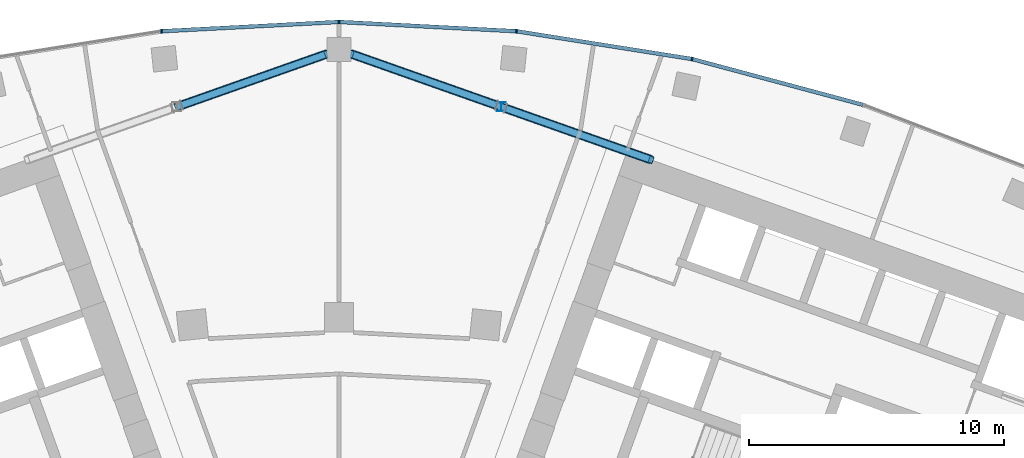
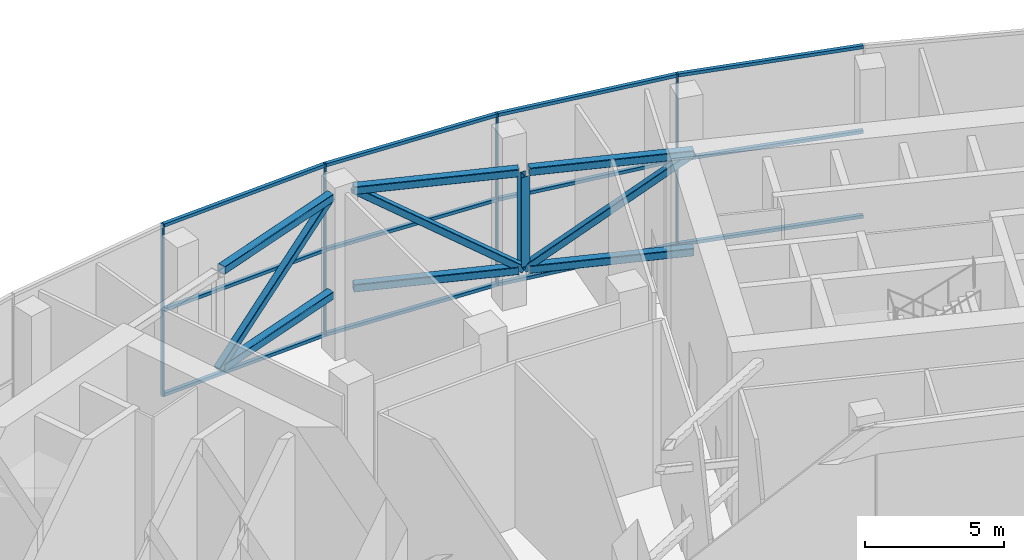
# One storey, part 8 of 26: 26 members, 1 element without a shape of its own.
"""IFC4 building model written with IfcOpenShell, lengths in metres."""

from ifc_helpers import new_model, si_unit, direction, frame, origin, origin_2d, place, context, subcontext, project, spatial, rectangle, hollow_rectangle, i_section, extrude, material, layer, layer_set, material_profile, profile_set, type_object, element, aggregate, save


model = new_model("IFC4")

# Units and contexts
model_context = context("Model", 3, precision=1e-05, world=origin(), true_north=direction((0.0, 1.0)))
body_context = subcontext(model_context, "Body", "Model", "MODEL_VIEW")
ifc_project = project(units=[si_unit("LENGTHUNIT", "METRE"), si_unit("AREAUNIT", "SQUARE_METRE"), si_unit("VOLUMEUNIT", "CUBIC_METRE"), si_unit("PLANEANGLEUNIT", "RADIAN"), si_unit("MASSUNIT", "GRAM", prefix="KILO")], contexts=[model_context])

# Site, building, storey
site_placement = place(None, origin())
site = spatial("IfcSite", under=ifc_project, at=site_placement, CompositionType="ELEMENT")
building_placement = place(site_placement, origin())
building = spatial("IfcBuilding", under=site, at=building_placement, Name="Stone Belt Terrace Tower", CompositionType="ELEMENT")
storey_placement = place(building_placement, frame((0.0, 0.0, 250.39990234375)))
storey = spatial("IfcBuildingStorey", under=building, at=storey_placement, Name="L61", CompositionType="ELEMENT", Elevation=250.39990234375)

# Curtain wall, members
ifc_material_1 = material(Name="Aluminium 6063-T6 anodised frame", Category="aluminium")
ifc_layer = layer(ifc_material_1, 0.14990234375)
ifc_layer_set = layer_set([ifc_layer], Name="CW-A unitised convex-face curtain wall")
curtain_wall_type = type_object("IfcCurtainWallType", Name="CW-A unitised convex-face curtain wall", PredefinedType="NOTDEFINED", material=ifc_layer_set)
curtain_wall_placement = place(storey_placement, origin())
curtain_wall = element("IfcCurtainWall", 1, at=curtain_wall_placement, inside=storey, type_object=curtain_wall_type, Name="CW-A convex face L61", PredefinedType="NOTDEFINED")
ifc_material_profile_1 = material_profile(ifc_material_1, rectangle(XDim=0.14990234375, YDim=0.06005859375, at=origin_2d()), Name="Aluminium 6063-T6 60x150")
ifc_profile_set_1 = profile_set([ifc_material_profile_1], Name="Aluminium 6063-T6 anodised frame")
member_type_1 = type_object("IfcMemberType", Name="CW-A mullion 60 x 150", PredefinedType="MULLION", material=ifc_profile_set_1)
member_1_placement = place(storey_placement, frame((13.841796875, 65.120361328125, 0.0), z_axis=(0.0, 0.0, 1.0), x_axis=(-0.207911690818, -0.978147600734, 0.0)))
member_1 = element("IfcMember", 2, at=member_1_placement, type_object=member_type_1, Name="CW-A mullion 7", PredefinedType="MULLION", context=body_context, shape_type="SweptSolid", body=[
    extrude(rectangle(XDim=0.14990234375, YDim=0.06005859375, at=origin_2d()), origin(), (0.0, 0.0, 1.0), 7.60009765625),
])
member_2_placement = place(storey_placement, frame((6.958984375, 66.21044921875, 0.0), z_axis=(0.0, 0.0, 1.0), x_axis=(-0.104528463268, -0.994521895368, 0.0)))
member_2 = element("IfcMember", 3, at=member_2_placement, type_object=member_type_1, Name="CW-A mullion 8", PredefinedType="MULLION", context=body_context, shape_type="SweptSolid", body=[
    extrude(rectangle(XDim=0.14990234375, YDim=0.06005859375, at=origin_2d()), origin(), (0.0, 0.0, 1.0), 7.60009765625),
])
member_3_placement = place(storey_placement, frame((0.0, 66.5751953125, 0.0), z_axis=(0.0, 0.0, 1.0), x_axis=(0.0, -1.0, 0.0)))
member_3 = element("IfcMember", 4, at=member_3_placement, type_object=member_type_1, Name="CW-A mullion 9", PredefinedType="MULLION", context=body_context, shape_type="SweptSolid", body=[
    extrude(rectangle(XDim=0.14990234375, YDim=0.06005859375, at=origin_2d()), origin(), (0.0, 0.0, 1.0), 7.60009765625),
])
member_4_placement = place(storey_placement, frame((-6.958984375, 66.21044921875, 0.0), z_axis=(0.0, 0.0, 1.0), x_axis=(0.104528463268, -0.994521895368, 0.0)))
member_4 = element("IfcMember", 5, at=member_4_placement, type_object=member_type_1, Name="CW-A mullion 10", PredefinedType="MULLION", context=body_context, shape_type="SweptSolid", body=[
    extrude(rectangle(XDim=0.14990234375, YDim=0.06005859375, at=origin_2d()), origin(), (0.0, 0.0, 1.0), 7.60009765625),
])
ifc_material_profile_2 = material_profile(ifc_material_1, rectangle(XDim=0.14990234375, YDim=0.139892578125, at=origin_2d()), Name="Aluminium 6063-T6 150x140")
ifc_profile_set_2 = profile_set([ifc_material_profile_2], Name="Aluminium 6063-T6 anodised frame")
member_type_2 = type_object("IfcMemberType", Name="CW-A transom 140 x 150", PredefinedType="USERDEFINED", material=ifc_profile_set_2)
member_5_placement = place(storey_placement, frame((20.5400390625, 63.325439453125, 0.070068359375), z_axis=(-0.965921835863, 0.258833937117, 0.0), x_axis=(-0.258833937117, -0.965921835863, 0.0)))
member_5 = element("IfcMember", 6, at=member_5_placement, type_object=member_type_2, Name="CW-A transom 6.1", ObjectType="TRANSOM", PredefinedType="USERDEFINED", context=body_context, shape_type="SweptSolid", body=[
    extrude(rectangle(XDim=0.14990234375, YDim=0.139892578125, at=origin_2d()), origin(), (0.0, 0.0, 1.0), 6.900634765625),
])
member_6_placement = place(storey_placement, frame((20.5400390625, 63.325439453125, 3.800048828125), z_axis=(-0.965921835863, 0.258833937117, 0.0), x_axis=(-0.258833937117, -0.965921835863, 0.0)))
member_6 = element("IfcMember", 7, at=member_6_placement, type_object=member_type_2, Name="CW-A transom 6.2", ObjectType="TRANSOM", PredefinedType="USERDEFINED", context=body_context, shape_type="SweptSolid", body=[
    extrude(rectangle(XDim=0.14990234375, YDim=0.139892578125, at=origin_2d()), origin(), (0.0, 0.0, 1.0), 6.900634765625),
])
member_7_placement = place(storey_placement, frame((20.5400390625, 63.325439453125, 7.530029296875), z_axis=(-0.965921835863, 0.258833937117, 0.0), x_axis=(-0.258833937117, -0.965921835863, 0.0)))
member_7 = element("IfcMember", 8, at=member_7_placement, type_object=member_type_2, Name="CW-A transom 6.3", ObjectType="TRANSOM", PredefinedType="USERDEFINED", context=body_context, shape_type="SweptSolid", body=[
    extrude(rectangle(XDim=0.14990234375, YDim=0.139892578125, at=origin_2d()), origin(), (0.0, 0.0, 1.0), 6.900634765625),
])
member_8_placement = place(storey_placement, frame((13.808349609375, 65.12548828125, 0.070068359375), z_axis=(-0.987687120531, 0.156442168027, 0.0), x_axis=(-0.156442168027, -0.987687120531, 0.0)))
member_8 = element("IfcMember", 9, at=member_8_placement, type_object=member_type_2, Name="CW-A transom 7.1", ObjectType="TRANSOM", PredefinedType="USERDEFINED", context=body_context, shape_type="SweptSolid", body=[
    extrude(rectangle(XDim=0.14990234375, YDim=0.139892578125, at=origin_2d()), origin(), (0.0, 0.0, 1.0), 6.90087890625),
])
member_9_placement = place(storey_placement, frame((13.808349609375, 65.12548828125, 3.800048828125), z_axis=(-0.987687120531, 0.156442168027, 0.0), x_axis=(-0.156442168027, -0.987687120531, 0.0)))
member_9 = element("IfcMember", 10, at=member_9_placement, type_object=member_type_2, Name="CW-A transom 7.2", ObjectType="TRANSOM", PredefinedType="USERDEFINED", context=body_context, shape_type="SweptSolid", body=[
    extrude(rectangle(XDim=0.14990234375, YDim=0.139892578125, at=origin_2d()), origin(), (0.0, 0.0, 1.0), 6.90087890625),
])
member_10_placement = place(storey_placement, frame((13.808349609375, 65.12548828125, 7.530029296875), z_axis=(-0.987687120531, 0.156442168027, 0.0), x_axis=(-0.156442168027, -0.987687120531, 0.0)))
member_10 = element("IfcMember", 11, at=member_10_placement, type_object=member_type_2, Name="CW-A transom 7.3", ObjectType="TRANSOM", PredefinedType="USERDEFINED", context=body_context, shape_type="SweptSolid", body=[
    extrude(rectangle(XDim=0.14990234375, YDim=0.139892578125, at=origin_2d()), origin(), (0.0, 0.0, 1.0), 6.90087890625),
])
member_11_placement = place(storey_placement, frame((6.925048828125, 66.212158203125, 0.070068359375), z_axis=(-0.998630019135, 0.052326712899, 0.0), x_axis=(-0.052326712899, -0.998630019135, 0.0)))
member_11 = element("IfcMember", 12, at=member_11_placement, type_object=member_type_2, Name="CW-A transom 8.1", ObjectType="TRANSOM", PredefinedType="USERDEFINED", context=body_context, shape_type="SweptSolid", body=[
    extrude(rectangle(XDim=0.14990234375, YDim=0.139892578125, at=origin_2d()), origin(), (0.0, 0.0, 1.0), 6.900634765625),
])
member_12_placement = place(storey_placement, frame((6.925048828125, 66.212158203125, 3.800048828125), z_axis=(-0.998630019135, 0.052326712899, 0.0), x_axis=(-0.052326712899, -0.998630019135, 0.0)))
member_12 = element("IfcMember", 13, at=member_12_placement, type_object=member_type_2, Name="CW-A transom 8.2", ObjectType="TRANSOM", PredefinedType="USERDEFINED", context=body_context, shape_type="SweptSolid", body=[
    extrude(rectangle(XDim=0.14990234375, YDim=0.139892578125, at=origin_2d()), origin(), (0.0, 0.0, 1.0), 6.900634765625),
])
member_13_placement = place(storey_placement, frame((6.925048828125, 66.212158203125, 7.530029296875), z_axis=(-0.998630019135, 0.052326712899, 0.0), x_axis=(-0.052326712899, -0.998630019135, 0.0)))
member_13 = element("IfcMember", 14, at=member_13_placement, type_object=member_type_2, Name="CW-A transom 8.3", ObjectType="TRANSOM", PredefinedType="USERDEFINED", context=body_context, shape_type="SweptSolid", body=[
    extrude(rectangle(XDim=0.14990234375, YDim=0.139892578125, at=origin_2d()), origin(), (0.0, 0.0, 1.0), 6.900634765625),
])
member_14_placement = place(storey_placement, frame((-0.033935546875, 66.5732421875, 0.070068359375), z_axis=(-0.998630019135, -0.052326712899, 0.0), x_axis=(0.052326712899, -0.998630019135, 0.0)))
member_14 = element("IfcMember", 15, at=member_14_placement, type_object=member_type_2, Name="CW-A transom 9.1", ObjectType="TRANSOM", PredefinedType="USERDEFINED", context=body_context, shape_type="SweptSolid", body=[
    extrude(rectangle(XDim=0.14990234375, YDim=0.139892578125, at=origin_2d()), origin(), (0.0, 0.0, 1.0), 6.900634765625),
])
member_15_placement = place(storey_placement, frame((-0.033935546875, 66.5732421875, 3.800048828125), z_axis=(-0.998630019135, -0.052326712899, 0.0), x_axis=(0.052326712899, -0.998630019135, 0.0)))
member_15 = element("IfcMember", 16, at=member_15_placement, type_object=member_type_2, Name="CW-A transom 9.2", ObjectType="TRANSOM", PredefinedType="USERDEFINED", context=body_context, shape_type="SweptSolid", body=[
    extrude(rectangle(XDim=0.14990234375, YDim=0.139892578125, at=origin_2d()), origin(), (0.0, 0.0, 1.0), 6.900634765625),
])
member_16_placement = place(storey_placement, frame((-0.033935546875, 66.5732421875, 7.530029296875), z_axis=(-0.998630019135, -0.052326712899, 0.0), x_axis=(0.052326712899, -0.998630019135, 0.0)))
member_16 = element("IfcMember", 17, at=member_16_placement, type_object=member_type_2, Name="CW-A transom 9.3", ObjectType="TRANSOM", PredefinedType="USERDEFINED", context=body_context, shape_type="SweptSolid", body=[
    extrude(rectangle(XDim=0.14990234375, YDim=0.139892578125, at=origin_2d()), origin(), (0.0, 0.0, 1.0), 6.900634765625),
])
aggregate(curtain_wall, [member_1, member_2, member_3, member_4, member_5, member_6, member_7, member_8, member_9, member_10, member_11, member_12, member_13, member_14, member_15, member_16])

# Members
ifc_material_2 = material(Name="Structural steel C345", Category="steel")
ifc_material_profile_3 = material_profile(ifc_material_2, hollow_rectangle(XDim=0.35009765625, YDim=0.35009765625, WallThickness=0.01611328125, InnerFilletRadius=0.031982421875, OuterFilletRadius=0.048095703125, at=origin_2d()), Name="SHS 350x350x16")
ifc_profile_set_3 = profile_set([ifc_material_profile_3], Name="Structural steel C345")
member_type_3 = type_object("IfcMemberType", Name="Outrigger chord SHS 350x350x16", PredefinedType="CHORD", material=ifc_profile_set_3)
for number, where, z_axis, x_axis, name in (
    (18, (-0.47509765625, 65.3212890625, 7.0751953125), (-0.942989587628, -0.332822231266, 0.0), (0.332822231266, -0.942989587628, 0.0), "Outrigger T4 coreA-mid-R top chord 1"),
    (19, (-0.47509765625, 65.3212890625, 2.775146484375), (-0.942989587628, -0.332822231266, 0.0), (0.332822231266, -0.942989587628, 0.0), "Outrigger T4 coreA-mid-R bot chord 1"),
    (20, (0.47509765625, 65.3212890625, 7.0751953125), (0.942989587628, -0.332822231266, 0.0), (0.332822231266, 0.942989587628, 0.0), "Outrigger T4 coreB-mid-R top chord 1"),
    (21, (0.47509765625, 65.3212890625, 2.775146484375), (0.942989587628, -0.332822231266, 0.0), (0.332822231266, 0.942989587628, 0.0), "Outrigger T4 coreB-mid-R bot chord 1"),
    (22, (6.538818359375, 63.18115234375, 7.0751953125), (0.942989587628, -0.332822231266, 0.0), (0.332822231266, 0.942989587628, 0.0), "Outrigger T4 coreB-mid-R top chord 2"),
    (23, (6.538818359375, 63.18115234375, 2.775146484375), (0.942989587628, -0.332822231266, 0.0), (0.332822231266, 0.942989587628, 0.0), "Outrigger T4 coreB-mid-R bot chord 2"),
):
    element("IfcMember", number, at=place(storey_placement, frame(where, z_axis=z_axis, x_axis=x_axis)), inside=storey, type_object=member_type_3, Name=name, PredefinedType="CHORD", context=body_context, shape_type="SweptSolid", body=[
        extrude(hollow_rectangle(XDim=0.35009765625, YDim=0.35009765625, WallThickness=0.01611328125, InnerFilletRadius=0.031982421875, OuterFilletRadius=0.048095703125, at=origin_2d()), origin(), (0.0, 0.0, 1.0), 6.042236328125),
    ])
ifc_material_profile_4 = material_profile(ifc_material_2, hollow_rectangle(XDim=0.300048828125, YDim=0.300048828125, WallThickness=0.011962890625, InnerFilletRadius=0.02392578125, OuterFilletRadius=0.035888671875, at=origin_2d()), Name="SHS 300x300x12")
ifc_profile_set_4 = profile_set([ifc_material_profile_4], Name="Structural steel C345")
member_type_4 = type_object("IfcMemberType", Name="Outrigger diagonal SHS 300x300x12", PredefinedType="BRACE", material=ifc_profile_set_4)
for number, where, z_axis, x_axis, name in (
    (24, (-0.47509765625, 65.3212890625, 7.0751953125), (-0.776319567719, -0.274017892006, -0.567663741696), (0.33284469114, -0.942981660256, 0.0), "Outrigger T4 coreA-mid-R diagonal 1"),
    (25, (0.47509765625, 65.3212890625, 7.0751953125), (0.776319567719, -0.274017892006, -0.567663741696), (0.33284469114, 0.942981660256, 0.0), "Outrigger T4 coreB-mid-R diagonal 1"),
):
    element("IfcMember", number, at=place(storey_placement, frame(where, z_axis=z_axis, x_axis=x_axis)), inside=storey, type_object=member_type_4, Name=name, PredefinedType="BRACE", context=body_context, shape_type="SweptSolid", body=[
        extrude(hollow_rectangle(XDim=0.300048828125, YDim=0.300048828125, WallThickness=0.011962890625, InnerFilletRadius=0.02392578125, OuterFilletRadius=0.035888671875, at=origin_2d()), origin(), (0.0, 0.0, 1.0), 7.574951171875),
    ])
member_17_placement = place(storey_placement, frame((6.355712890625, 63.24560546875, 2.775146484375), z_axis=(0.776339228604, -0.273981226435, 0.56765455137), x_axis=(0.332797592453, 0.94299828338, 0.0)))
element("IfcMember", 26, at=member_17_placement, inside=storey, type_object=member_type_4, Name="Outrigger T4 coreB-mid-R diagonal 2", PredefinedType="BRACE", context=body_context, shape_type="SweptSolid", body=[
    extrude(hollow_rectangle(XDim=0.300048828125, YDim=0.300048828125, WallThickness=0.011962890625, InnerFilletRadius=0.02392578125, OuterFilletRadius=0.035888671875, at=origin_2d()), origin(), (0.0, 0.0, 1.0), 7.5751953125),
])
ifc_material_profile_5 = material_profile(ifc_material_2, i_section(OverallWidth=0.347900390625, OverallDepth=0.342041015625, WebThickness=0.010009765625, FlangeThickness=0.014892578125, at=origin_2d()), Name="I 35K1")
ifc_profile_set_5 = profile_set([ifc_material_profile_5], Name="Structural steel C345")
member_type_5 = type_object("IfcMemberType", Name="Outrigger post I 35K1", PredefinedType="POST", material=ifc_profile_set_5)
member_18_placement = place(storey_placement, frame((6.355712890625, 63.24560546875, 2.9501953125), z_axis=(0.0, 0.0, 1.0), x_axis=(1.0, 0.0, 0.0)))
element("IfcMember", 27, at=member_18_placement, inside=storey, type_object=member_type_5, Name="Outrigger T4 coreB-mid-R post 1", PredefinedType="POST", context=body_context, shape_type="SweptSolid", body=[
    extrude(i_section(OverallWidth=0.347900390625, OverallDepth=0.342041015625, WebThickness=0.010009765625, FlangeThickness=0.014892578125, at=origin_2d()), origin(), (0.0, 0.0, 1.0), 3.949951171875),
])

save(model, "model.ifc")
